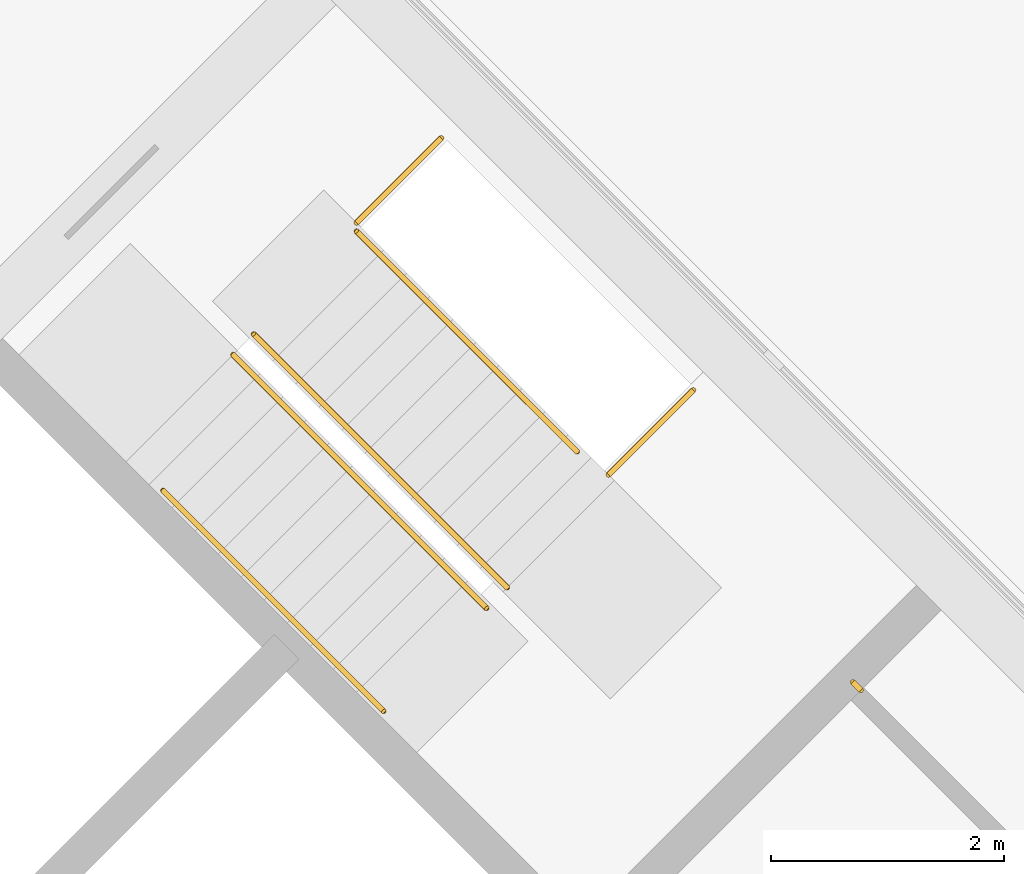
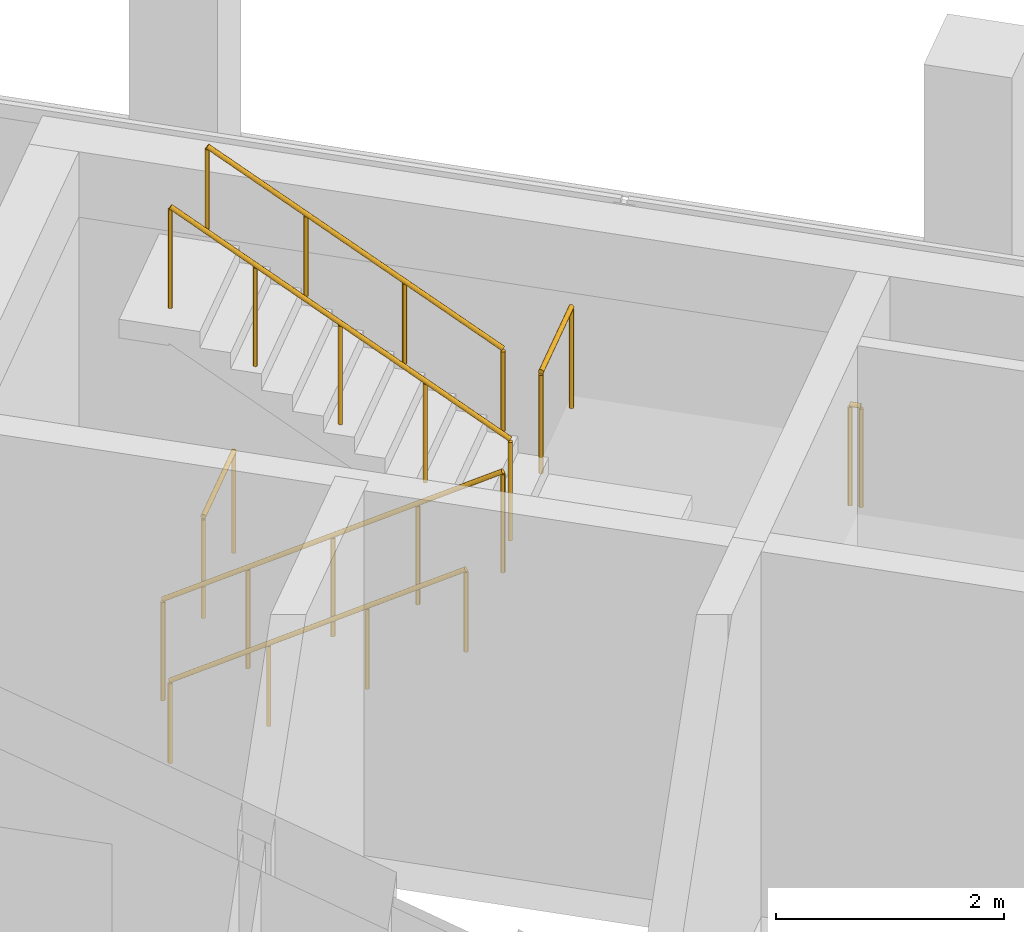
# One storey, part 15 of 20: 7 railings.
"""IFC4 building model written with IfcOpenShell, lengths in metres."""

from ifc_helpers import new_model, si_unit, direction, frame, origin, origin_2d, place, context, subcontext, project, spatial, circle, extrude, material, type_object, element, save


model = new_model("IFC4")

# Units and contexts
model_context = context("Model", 3, precision=1e-05, world=origin(), true_north=direction((0.0, 1.0)))
body_context = subcontext(model_context, "Body", "Model", "MODEL_VIEW")
ifc_project = project(units=[si_unit("LENGTHUNIT", "METRE"), si_unit("AREAUNIT", "SQUARE_METRE"), si_unit("VOLUMEUNIT", "CUBIC_METRE"), si_unit("PLANEANGLEUNIT", "RADIAN"), si_unit("MASSUNIT", "GRAM", prefix="KILO")], contexts=[model_context])

# Site, building, storey
site_placement = place(None, origin())
site = spatial("IfcSite", under=ifc_project, at=site_placement, CompositionType="ELEMENT")
building_placement = place(site_placement, origin())
building = spatial("IfcBuilding", under=site, at=building_placement, Name="Windrow Commons", CompositionType="ELEMENT")
storey_placement = place(building_placement, frame((0.0, 0.0, 239.6)))
storey = spatial("IfcBuildingStorey", under=building, at=storey_placement, Name="L65", CompositionType="ELEMENT", Elevation=239.6)

# Railings
ifc_material_1 = material(Name="Steel S355", Category="steel")
railing_type_1 = type_object("IfcRailingType", Name="Core stair guard 1100", PredefinedType="GUARDRAIL", material=ifc_material_1)
railing_1_placement = place(storey_placement, frame((85.9529, 56.2669, 0.175)))
element("IfcRailing", 1, at=railing_1_placement, inside=storey, type_object=railing_type_1, Name="L65 ST-B1 stair guard 1", PredefinedType="GUARDRAIL", context=body_context, shape_type="SweptSolid", body=[
    extrude(circle(Radius=0.024, at=origin_2d()), frame((0.0, 0.0, 1.076), z_axis=(0.5996262107, -0.5996262107, 0.5299969951), x_axis=(0.7071067812, 0.7071067812, 0.0)), (0.0, 0.0, 1.0), 3.6321),
    extrude(circle(Radius=0.021, at=origin_2d()), origin(), (0.0, 0.0, 1.0), 1.052),
    extrude(circle(Radius=0.021, at=origin_2d()), frame((0.5445, -0.5445, 0.4812)), (0.0, 0.0, 1.0), 1.052),
    extrude(circle(Radius=0.021, at=origin_2d()), frame((1.0889, -1.089, 0.9625)), (0.0, 0.0, 1.0), 1.052),
    extrude(circle(Radius=0.021, at=origin_2d()), frame((1.6334, -1.6334, 1.4437)), (0.0, 0.0, 1.0), 1.052),
    extrude(circle(Radius=0.021, at=origin_2d()), frame((2.1779, -2.1779, 1.925)), (0.0, 0.0, 1.0), 1.052),
])
railing_2_placement = place(storey_placement, frame((88.3075, 54.2658, 2.275)))
element("IfcRailing", 2, at=railing_2_placement, inside=storey, type_object=railing_type_1, Name="L65 ST-B1 stair guard 2", PredefinedType="GUARDRAIL", context=body_context, shape_type="SweptSolid", body=[
    extrude(circle(Radius=0.024, at=origin_2d()), frame((0.0, 0.0, 1.076), z_axis=(-0.5996262107, 0.5996262107, 0.5299969951), x_axis=(-0.7071067812, -0.7071067812, 0.0)), (0.0, 0.0, 1.0), 3.6321),
    extrude(circle(Radius=0.021, at=origin_2d()), origin(), (0.0, 0.0, 1.0), 1.052),
    extrude(circle(Radius=0.021, at=origin_2d()), frame((-0.5445, 0.5445, 0.4813)), (0.0, 0.0, 1.0), 1.052),
    extrude(circle(Radius=0.021, at=origin_2d()), frame((-1.089, 1.089, 0.9625)), (0.0, 0.0, 1.0), 1.052),
    extrude(circle(Radius=0.021, at=origin_2d()), frame((-1.6334, 1.6334, 1.4438)), (0.0, 0.0, 1.0), 1.052),
    extrude(circle(Radius=0.021, at=origin_2d()), frame((-2.1779, 2.1779, 1.925)), (0.0, 0.0, 1.0), 1.052),
])
railing_3_placement = place(storey_placement, frame((87.0135, 57.3982, 0.0)))
element("IfcRailing", 3, at=railing_3_placement, inside=storey, type_object=railing_type_1, Name="L65 ST-B1 stair guard 3", PredefinedType="GUARDRAIL", context=body_context, shape_type="SweptSolid", body=[
    extrude(circle(Radius=0.024, at=origin_2d()), frame((0.0, 0.0, 1.076), z_axis=(0.7070582378, 0.7071553212, 0.0), x_axis=(-0.7071553212, 0.7070582378, 0.0)), (0.0, 0.0, 1.0), 1.03),
    extrude(circle(Radius=0.021, at=origin_2d()), origin(), (0.0, 0.0, 1.0), 1.052),
    extrude(circle(Radius=0.021, at=origin_2d()), frame((0.7283, 0.7284, 0.0)), (0.0, 0.0, 1.0), 1.052),
])
railing_4_placement = place(storey_placement, frame((89.1773, 55.2345, 2.1)))
element("IfcRailing", 4, at=railing_4_placement, inside=storey, type_object=railing_type_1, Name="L65 ST-B1 stair guard 4", PredefinedType="GUARDRAIL", context=body_context, shape_type="SweptSolid", body=[
    extrude(circle(Radius=0.024, at=origin_2d()), frame((0.0, 0.0, 1.076), z_axis=(0.7071067812, 0.7071067812, 0.0), x_axis=(-0.7071067812, 0.7071067812, 0.0)), (0.0, 0.0, 1.0), 1.03),
    extrude(circle(Radius=0.021, at=origin_2d()), origin(), (0.0, 0.0, 1.0), 1.052),
    extrude(circle(Radius=0.021, at=origin_2d()), frame((0.7283, 0.7283, 0.0)), (0.0, 0.0, 1.0), 1.052),
])
railing_5_placement = place(storey_placement, frame((91.3446, 53.3854, 2.1)))
element("IfcRailing", 5, at=railing_5_placement, inside=storey, type_object=railing_type_1, Name="L65 ST-B2 stair guard 3", PredefinedType="GUARDRAIL", context=body_context, shape_type="SweptSolid", body=[
    extrude(circle(Radius=0.024, at=origin_2d()), frame((0.0, 0.0, 1.076), z_axis=(-0.7076063266, 0.7066068826, 0.0), x_axis=(-0.7066068826, -0.7076063266, 0.0)), (0.0, 0.0, 1.0), 0.1001),
    extrude(circle(Radius=0.021, at=origin_2d()), origin(), (0.0, 0.0, 1.0), 1.052),
    extrude(circle(Radius=0.021, at=origin_2d()), frame((-0.0708, 0.0707, 0.0)), (0.0, 0.0, 1.0), 1.052),
])
ifc_material_2 = material(Name="Steel S355", Category="steel")
railing_type_2 = type_object("IfcRailingType", Name="Core stair handrail 900", PredefinedType="HANDRAIL", material=ifc_material_2)
railing_6_placement = place(storey_placement, frame((85.3518, 55.1001, 0.425)))
element("IfcRailing", 6, at=railing_6_placement, inside=storey, type_object=railing_type_2, Name="L65 ST-B1 stair handrail 1", PredefinedType="HANDRAIL", context=body_context, shape_type="SweptSolid", body=[
    extrude(circle(Radius=0.024, at=origin_2d()), frame((0.0, 0.0, 0.876), z_axis=(0.599641512, -0.5996098703, 0.5299981703), x_axis=(0.7070881243, 0.7071254376, 0.0)), (0.0, 0.0, 1.0), 3.1604),
    extrude(circle(Radius=0.021, at=origin_2d()), origin(), (0.0, 0.0, 1.0), 0.852),
    extrude(circle(Radius=0.021, at=origin_2d()), frame((0.6317, -0.6317, 0.5583)), (0.0, 0.0, 1.0), 0.852),
    extrude(circle(Radius=0.021, at=origin_2d()), frame((1.2634, -1.2633, 1.1167)), (0.0, 0.0, 1.0), 0.852),
    extrude(circle(Radius=0.021, at=origin_2d()), frame((1.8951, -1.895, 1.675)), (0.0, 0.0, 1.0), 0.852),
])
railing_7_placement = place(storey_placement, frame((88.9086, 55.4325, 2.525)))
element("IfcRailing", 7, at=railing_7_placement, inside=storey, type_object=railing_type_2, Name="L65 ST-B1 stair handrail 2", PredefinedType="HANDRAIL", context=body_context, shape_type="SweptSolid", body=[
    extrude(circle(Radius=0.024, at=origin_2d()), frame((0.0, 0.0, 0.876), z_axis=(-0.599641512, 0.5996098703, 0.5299981703), x_axis=(-0.7070881243, -0.7071254376, 0.0)), (0.0, 0.0, 1.0), 3.1604),
    extrude(circle(Radius=0.021, at=origin_2d()), origin(), (0.0, 0.0, 1.0), 0.852),
    extrude(circle(Radius=0.021, at=origin_2d()), frame((-0.6317, 0.6317, 0.5583)), (0.0, 0.0, 1.0), 0.852),
    extrude(circle(Radius=0.021, at=origin_2d()), frame((-1.2634, 1.2633, 1.1167)), (0.0, 0.0, 1.0), 0.852),
    extrude(circle(Radius=0.021, at=origin_2d()), frame((-1.8951, 1.895, 1.675)), (0.0, 0.0, 1.0), 0.852),
])

save(model, "model.ifc")
